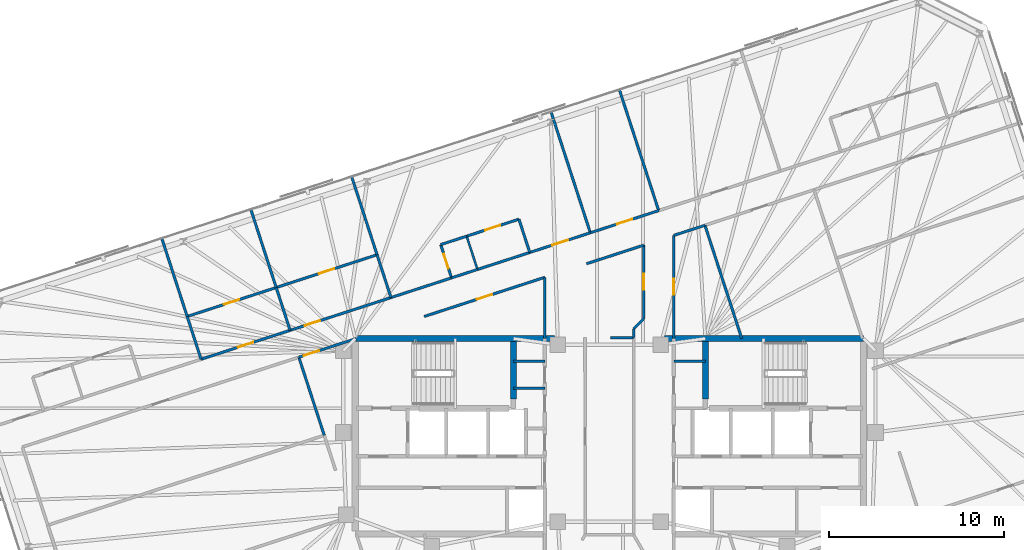
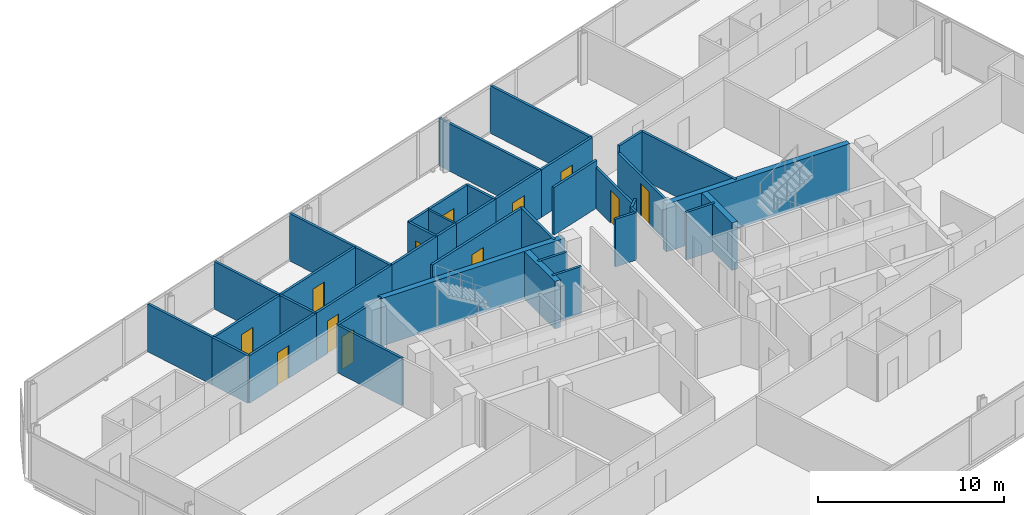
# One storey, part 16 of 19: 41 walls, 12 doors, 12 openings.
"""IFC4 building model written with IfcOpenShell, lengths in metres."""

from ifc_helpers import new_model, si_unit, direction, frame, frame_2d, origin, place, context, subcontext, project, spatial, rectangle, extrude, material, layer, layer_set, type_object, element, fill, save


model = new_model("IFC4")

# Units and contexts
model_context = context("Model", 3, precision=1e-05, world=origin(), true_north=direction((0.0, 1.0)))
body_context = subcontext(model_context, "Body", "Model", "MODEL_VIEW")
ifc_project = project(units=[si_unit("LENGTHUNIT", "METRE"), si_unit("AREAUNIT", "SQUARE_METRE"), si_unit("VOLUMEUNIT", "CUBIC_METRE"), si_unit("PLANEANGLEUNIT", "RADIAN"), si_unit("MASSUNIT", "GRAM", prefix="KILO")], contexts=[model_context])

# Site, building, storey
site_placement = place(None, origin())
site = spatial("IfcSite", under=ifc_project, at=site_placement, CompositionType="ELEMENT")
building_placement = place(site_placement, origin())
building = spatial("IfcBuilding", under=site, at=building_placement, Name="Menara Jurai Vektor", CompositionType="ELEMENT")
storey_placement = place(building_placement, frame((0.0, 0.0, 210.89990234375)))
storey = spatial("IfcBuildingStorey", under=building, at=storey_placement, Name="L55", CompositionType="ELEMENT", Elevation=210.89990234375)

# Walls
ifc_material_1 = material(Name="Gypsum Fireboard Partition", Category="gypsum")
ifc_layer_1 = layer(ifc_material_1, 0.14990234375)
ifc_layer_set_1 = layer_set([ifc_layer_1], Name="Gypsum Fireboard Partition")
wall_type_1 = type_object("IfcWallType", Name="INT-WALL-CORR-150", PredefinedType="PARTITIONING", material=ifc_layer_set_1)
for number, where, z_axis, x_axis, name in (
    (1, (-5.5, 4.300048828125, 0.0), (0.0, 0.0, 1.0), (1.0, 0.0, 0.0), "Interior Wall IW-150 L55"),
    (2, (-5.5, 2.75, 0.0), (0.0, 0.0, 1.0), (1.0, 0.0, 0.0), "Interior Wall IW-150 L55"),
    (3, (3.699951171875, 4.300048828125, 0.0), (0.0, 0.0, 1.0), (1.0, 0.0, 0.0), "Interior Wall IW-150 L55"),
):
    element("IfcWall", number, at=place(storey_placement, frame(where, z_axis=z_axis, x_axis=x_axis)), inside=storey, type_object=wall_type_1, Name=name, PredefinedType="PARTITIONING", context=body_context, shape_type="SweptSolid", body=[
        extrude(rectangle(XDim=1.800048828125, YDim=0.14990234375, at=frame_2d((0.89990234375, 0.0))), origin(), (0.0, 0.0, 1.0), 3.125),
    ])
wall_1_placement = place(storey_placement, frame((-12.513427734375, 7.94921875, 0.0), z_axis=(0.0, 0.0, 1.0), x_axis=(0.951050780541, 0.309034646652, 0.0)))
element("IfcWall", 4, at=wall_1_placement, inside=storey, type_object=wall_type_1, Name="Interior Wall IW-150 L55", PredefinedType="PARTITIONING", context=body_context, shape_type="SweptSolid", body=[
    extrude(rectangle(XDim=3.64990234375, YDim=0.14990234375, at=frame_2d((1.824951171875, 0.0))), origin(), (0.0, 0.0, 1.0), 3.125),
])

# Wall, opening, door
wall_2_placement = place(storey_placement, frame((-4.560791015625, 10.533203125, 0.0), z_axis=(0.0, 0.0, 1.0), x_axis=(0.951057168147, 0.309014988174, 0.0)))
wall_2 = element("IfcWall", 5, at=wall_2_placement, inside=storey, type_object=wall_type_1, Name="Interior Wall IW-150 L55", PredefinedType="PARTITIONING", context=body_context, shape_type="SweptSolid", body=[
    extrude(rectangle(XDim=3.650146484375, YDim=0.14990234375, at=frame_2d((1.8251953125, 0.0))), origin(), (0.0, 0.0, 1.0), 3.125),
])
opening_1_placement = place(wall_2_placement, frame((1.35009765625, 0.0, 0.0)))
opening_1 = element("IfcOpeningElement", 6, at=opening_1_placement, cuts=wall_2, Name="Opening D55-13", PredefinedType="OPENING", context=body_context, shape_type="SweptSolid", body=[
    extrude(rectangle(XDim=0.949951171875, YDim=2.14990234375, at=frame_2d((0.47509765625, 1.074951171875))), frame((0.0, 0.0849609375, 0.0), z_axis=(0.0, -1.0, 0.0), x_axis=(1.0, 0.0, 0.0)), (0.0, 0.0, 1.0), 0.169921875),
])
ifc_material_2 = material(Name="Solid Core Timber Fire Door", Category="wood")
door_type_1 = type_object("IfcDoorType", Name="DR-ENTRY-950", OperationType="NOTDEFINED", PredefinedType="DOOR", material=ifc_material_2)
door_1_placement = place(opening_1_placement, origin())
door_1 = element("IfcDoor", 7, at=door_1_placement, inside=storey, type_object=door_type_1, Name="Interior Door D55-13", OperationType="SINGLE_SWING_LEFT", OverallHeight=2.14990234375, OverallWidth=0.949951171875, PredefinedType="DOOR", context=body_context, shape_type="SweptSolid", body=[
    extrude(rectangle(XDim=0.949951171875, YDim=2.14990234375, at=frame_2d((0.47509765625, 1.074951171875))), frame((0.0, 0.02490234375, 0.0), z_axis=(0.0, -1.0, 0.0), x_axis=(1.0, 0.0, 0.0)), (0.0, 0.0, 1.0), 0.050048828125),
])
fill(opening_1, door_1)

# Walls
wall_3_placement = place(storey_placement, frame((-9.042236328125, 9.0771484375, 0.0), z_axis=(0.0, 0.0, 1.0), x_axis=(0.951062779317, 0.308997718112, 0.0)))
element("IfcWall", 8, at=wall_3_placement, inside=storey, type_object=wall_type_1, Name="Interior Wall IW-150 L55", PredefinedType="PARTITIONING", context=body_context, shape_type="SweptSolid", body=[
    extrude(rectangle(XDim=1.56201171875, YDim=0.14990234375, at=frame_2d((0.781005859375, 0.0))), origin(), (0.0, 0.0, 1.0), 3.125),
])
wall_4_placement = place(storey_placement, frame((-7.556640625, 9.559814453125, 0.0), z_axis=(0.0, 0.0, 1.0), x_axis=(0.951058557014, 0.309010713619, 0.0)))
element("IfcWall", 9, at=wall_4_placement, inside=storey, type_object=wall_type_1, Name="Interior Wall IW-150 L55", PredefinedType="PARTITIONING", context=body_context, shape_type="SweptSolid", body=[
    extrude(rectangle(XDim=3.14990234375, YDim=0.14990234375, at=frame_2d((1.574951171875, 0.0))), origin(), (0.0, 0.0, 1.0), 3.125),
])

# Wall, opening, door
wall_5_placement = place(storey_placement, frame((-23.3935546875, 4.4140625, 0.0), z_axis=(0.0, 0.0, 1.0), x_axis=(0.951050121956, 0.309036673434, 0.0)))
wall_5 = element("IfcWall", 10, at=wall_5_placement, inside=storey, type_object=wall_type_1, Name="Interior Wall IW-150 L55", PredefinedType="PARTITIONING", context=body_context, shape_type="SweptSolid", body=[
    extrude(rectangle(XDim=5.3642578125, YDim=0.14990234375, at=frame_2d((2.68212890625, 0.0))), origin(), (0.0, 0.0, 1.0), 3.125),
])
opening_2_placement = place(wall_5_placement, frame((2.221923828125, 0.0, 0.0)))
opening_2 = element("IfcOpeningElement", 11, at=opening_2_placement, cuts=wall_5, Name="Opening D55-30", PredefinedType="OPENING", context=body_context, shape_type="SweptSolid", body=[
    extrude(rectangle(XDim=0.919921875, YDim=2.14990234375, at=frame_2d((0.4599609375, 1.074951171875))), frame((0.0, 0.0849609375, 0.0), z_axis=(0.0, -1.0, 0.0), x_axis=(1.0, 0.0, 0.0)), (0.0, 0.0, 1.0), 0.169921875),
])
door_2_placement = place(opening_2_placement, origin())
door_2 = element("IfcDoor", 12, at=door_2_placement, inside=storey, type_object=door_type_1, Name="Interior Door D55-30", OperationType="SINGLE_SWING_RIGHT", OverallHeight=2.14990234375, OverallWidth=0.919921875, PredefinedType="DOOR", context=body_context, shape_type="SweptSolid", body=[
    extrude(rectangle(XDim=0.919921875, YDim=2.14990234375, at=frame_2d((0.4599609375, 1.074951171875))), frame((0.0, 0.02490234375, 0.0), z_axis=(0.0, -1.0, 0.0), x_axis=(1.0, 0.0, 0.0)), (0.0, 0.0, 1.0), 0.050048828125),
])
fill(opening_2, door_2)

# Wall
wall_6_placement = place(storey_placement, frame((3.699462890625, 11.513916015625, 0.0), z_axis=(0.0, 0.0, 1.0), x_axis=(0.951069540665, 0.308976906612, 0.0)))
element("IfcWall", 13, at=wall_6_placement, inside=storey, type_object=wall_type_1, Name="Interior Wall IW-150 L55", PredefinedType="PARTITIONING", context=body_context, shape_type="SweptSolid", body=[
    extrude(rectangle(XDim=1.87109375, YDim=0.14990234375, at=frame_2d((0.935546875, 0.0))), origin(), (0.0, 0.0, 1.0), 3.125),
])

# Wall, opening, door
wall_7_placement = place(storey_placement, frame((-17.79150390625, 4.531005859375, 0.0), z_axis=(0.0, 0.0, 1.0), x_axis=(0.951047546178, 0.309044600193, 0.0)))
wall_7 = element("IfcWall", 14, at=wall_7_placement, inside=storey, type_object=wall_type_1, Name="Interior Wall IW-150 L55", PredefinedType="PARTITIONING", context=body_context, shape_type="SweptSolid", body=[
    extrude(rectangle(XDim=3.4609375, YDim=0.14990234375, at=frame_2d((1.73046875, 0.0))), origin(), (0.0, 0.0, 1.0), 3.125),
])
opening_3_placement = place(wall_7_placement, frame((0.301513671875, 0.0, 0.0)))
opening_3 = element("IfcOpeningElement", 15, at=opening_3_placement, cuts=wall_7, Name="Opening D55-40", PredefinedType="OPENING", context=body_context, shape_type="SweptSolid", body=[
    extrude(rectangle(XDim=0.919921875, YDim=2.14990234375, at=frame_2d((0.4599609375, 1.074951171875))), frame((0.0, 0.0849609375, 0.0), z_axis=(0.0, -1.0, 0.0), x_axis=(1.0, 0.0, 0.0)), (0.0, 0.0, 1.0), 0.169921875),
])
door_3_placement = place(opening_3_placement, origin())
door_3 = element("IfcDoor", 16, at=door_3_placement, inside=storey, type_object=door_type_1, Name="Interior Door D55-40", OperationType="SINGLE_SWING_RIGHT", OverallHeight=2.14990234375, OverallWidth=0.919921875, PredefinedType="DOOR", context=body_context, shape_type="SweptSolid", body=[
    extrude(rectangle(XDim=0.919921875, YDim=2.14990234375, at=frame_2d((0.4599609375, 1.074951171875))), frame((0.0, 0.02490234375, 0.0), z_axis=(0.0, -1.0, 0.0), x_axis=(1.0, 0.0, 0.0)), (0.0, 0.0, 1.0), 0.050048828125),
])
fill(opening_3, door_3)

# Walls
wall_8_placement = place(storey_placement, frame((-1.310791015625, 9.885986328125, 0.0), z_axis=(0.0, 0.0, 1.0), x_axis=(0.951068803905, 0.308979174442, 0.0)))
element("IfcWall", 17, at=wall_8_placement, inside=storey, type_object=wall_type_1, Name="Interior Wall IW-150 L55", PredefinedType="PARTITIONING", context=body_context, shape_type="SweptSolid", body=[
    extrude(rectangle(XDim=3.4599609375, YDim=0.14990234375, at=frame_2d((1.72998046875, 0.0))), origin(), (0.0, 0.0, 1.0), 3.125),
])
wall_9_placement = place(storey_placement, frame((1.390625, 5.6494140625, 0.0), z_axis=(0.0, 0.0, 1.0), x_axis=(0.000957395444, 0.999999541697, 0.0)))
element("IfcWall", 18, at=wall_9_placement, inside=storey, type_object=wall_type_1, Name="Interior Wall IW-150 L55", PredefinedType="PARTITIONING", context=body_context, shape_type="SweptSolid", body=[
    extrude(rectangle(XDim=0.510009765625, YDim=0.14990234375, at=frame_2d((0.2548828125, 0.0))), origin(), (0.0, 0.0, 1.0), 3.125),
])
wall_10_placement = place(storey_placement, frame((1.39111328125, 6.159423828125, 0.0), z_axis=(0.0, 0.0, 1.0), x_axis=(0.707106781187, 0.707106781187, 0.0)))
element("IfcWall", 19, at=wall_10_placement, inside=storey, type_object=wall_type_1, Name="Interior Wall IW-150 L55", PredefinedType="PARTITIONING", context=body_context, shape_type="SweptSolid", body=[
    extrude(rectangle(XDim=0.832763671875, YDim=0.14990234375, at=frame_2d((0.41650390625, 0.0))), origin(), (0.0, 0.0, 1.0), 3.125),
])

# Wall, opening, door
wall_11_placement = place(storey_placement, frame((-10.612060546875, 6.86376953125, 0.0), z_axis=(0.0, 0.0, 1.0), x_axis=(0.951060972078, 0.309003280548, 0.0)))
wall_11 = element("IfcWall", 20, at=wall_11_placement, inside=storey, type_object=wall_type_1, Name="Interior Wall IW-150 L55", PredefinedType="PARTITIONING", context=body_context, shape_type="SweptSolid", body=[
    extrude(rectangle(XDim=7.26806640625, YDim=0.14990234375, at=frame_2d((3.634033203125, 0.0))), origin(), (0.0, 0.0, 1.0), 3.125),
])
opening_4_placement = place(wall_11_placement, frame((3.174072265625, 0.0, 0.0)))
opening_4 = element("IfcOpeningElement", 21, at=opening_4_placement, cuts=wall_11, Name="Opening D55-42", PredefinedType="OPENING", context=body_context, shape_type="SweptSolid", body=[
    extrude(rectangle(XDim=0.919921875, YDim=2.14990234375, at=frame_2d((0.4599609375, 1.074951171875))), frame((0.0, 0.0849609375, 0.0), z_axis=(0.0, -1.0, 0.0), x_axis=(1.0, 0.0, 0.0)), (0.0, 0.0, 1.0), 0.169921875),
])
door_4_placement = place(opening_4_placement, origin())
door_4 = element("IfcDoor", 22, at=door_4_placement, inside=storey, type_object=door_type_1, Name="Interior Door D55-42", OperationType="SINGLE_SWING_RIGHT", OverallHeight=2.14990234375, OverallWidth=0.919921875, PredefinedType="DOOR", context=body_context, shape_type="SweptSolid", body=[
    extrude(rectangle(XDim=0.919921875, YDim=2.14990234375, at=frame_2d((0.4599609375, 1.074951171875))), frame((0.0, 0.02490234375, 0.0), z_axis=(0.0, -1.0, 0.0), x_axis=(1.0, 0.0, 0.0)), (0.0, 0.0, 1.0), 0.050048828125),
])
fill(opening_4, door_4)

# Wall
wall_12_placement = place(storey_placement, frame((-3.7001953125, 5.599853515625, 0.0), z_axis=(0.0, 0.0, 1.0), x_axis=(0.000139120755, 0.999999990323, 0.0)))
element("IfcWall", 23, at=wall_12_placement, inside=storey, type_object=wall_type_1, Name="Interior Wall IW-150 L55", PredefinedType="PARTITIONING", context=body_context, shape_type="SweptSolid", body=[
    extrude(rectangle(XDim=3.509765625, YDim=0.14990234375, at=frame_2d((1.7548828125, 0.0))), origin(), (0.0, 0.0, 1.0), 3.125),
])

# Wall, opening, door
wall_13_placement = place(storey_placement, frame((-18.2919921875, 6.07177734375, 0.0), z_axis=(0.0, 0.0, 1.0), x_axis=(0.951062707515, 0.30899793911, 0.0)))
wall_13 = element("IfcWall", 24, at=wall_13_placement, inside=storey, type_object=wall_type_1, Name="Interior Wall IW-150 L55", PredefinedType="PARTITIONING", context=body_context, shape_type="SweptSolid", body=[
    extrude(rectangle(XDim=6.075927734375, YDim=0.14990234375, at=frame_2d((3.0380859375, 0.0))), origin(), (0.0, 0.0, 1.0), 3.125),
])
opening_5_placement = place(wall_13_placement, frame((0.876708984375, 0.0, 0.0)))
opening_5 = element("IfcOpeningElement", 25, at=opening_5_placement, cuts=wall_13, Name="Opening D55-43", PredefinedType="OPENING", context=body_context, shape_type="SweptSolid", body=[
    extrude(rectangle(XDim=0.919921875, YDim=2.14990234375, at=frame_2d((0.4599609375, 1.074951171875))), frame((0.0, 0.0849609375, 0.0), z_axis=(0.0, -1.0, 0.0), x_axis=(1.0, 0.0, 0.0)), (0.0, 0.0, 1.0), 0.169921875),
])
door_5_placement = place(opening_5_placement, origin())
door_5 = element("IfcDoor", 26, at=door_5_placement, inside=storey, type_object=door_type_1, Name="Interior Door D55-43", OperationType="SINGLE_SWING_LEFT", OverallHeight=2.14990234375, OverallWidth=0.919921875, PredefinedType="DOOR", context=body_context, shape_type="SweptSolid", body=[
    extrude(rectangle(XDim=0.919921875, YDim=2.14990234375, at=frame_2d((0.4599609375, 1.074951171875))), frame((0.0, 0.02490234375, 0.0), z_axis=(0.0, -1.0, 0.0), x_axis=(1.0, 0.0, 0.0)), (0.0, 0.0, 1.0), 0.050048828125),
])
fill(opening_5, door_5)

wall_14_placement = place(storey_placement, frame((-1.08935546875, 11.6611328125, 0.0), z_axis=(0.0, 0.0, 1.0), x_axis=(0.951057158344, 0.309015018346, 0.0)))
wall_14 = element("IfcWall", 27, at=wall_14_placement, inside=storey, type_object=wall_type_1, Name="Interior Wall IW-150 L55", PredefinedType="PARTITIONING", context=body_context, shape_type="SweptSolid", body=[
    extrude(rectangle(XDim=4.11767578125, YDim=0.14990234375, at=frame_2d((2.058837890625, 0.0))), origin(), (0.0, 0.0, 1.0), 3.125),
])
opening_6_placement = place(wall_14_placement, frame((1.59912109375, 0.0, 0.0)))
opening_6 = element("IfcOpeningElement", 28, at=opening_6_placement, cuts=wall_14, Name="Opening D55-45", PredefinedType="OPENING", context=body_context, shape_type="SweptSolid", body=[
    extrude(rectangle(XDim=0.919921875, YDim=2.14990234375, at=frame_2d((0.4599609375, 1.074951171875))), frame((0.0, 0.0849609375, 0.0), z_axis=(0.0, -1.0, 0.0), x_axis=(1.0, 0.0, 0.0)), (0.0, 0.0, 1.0), 0.169921875),
])
door_6_placement = place(opening_6_placement, origin())
door_6 = element("IfcDoor", 29, at=door_6_placement, inside=storey, type_object=door_type_1, Name="Interior Door D55-45", OperationType="SINGLE_SWING_LEFT", OverallHeight=2.14990234375, OverallWidth=0.919921875, PredefinedType="DOOR", context=body_context, shape_type="SweptSolid", body=[
    extrude(rectangle(XDim=0.919921875, YDim=2.14990234375, at=frame_2d((0.4599609375, 1.074951171875))), frame((0.0, 0.02490234375, 0.0), z_axis=(0.0, -1.0, 0.0), x_axis=(1.0, 0.0, 0.0)), (0.0, 0.0, 1.0), 0.050048828125),
])
fill(opening_6, door_6)

# Walls
wall_15_placement = place(storey_placement, frame((0.065673828125, 5.64990234375, 0.0), z_axis=(0.0, 0.0, 1.0), x_axis=(0.999999932094, -0.000368527707, 0.0)))
element("IfcWall", 30, at=wall_15_placement, inside=storey, type_object=wall_type_1, Name="Interior Wall IW-150 L55", PredefinedType="PARTITIONING", context=body_context, shape_type="SweptSolid", body=[
    extrude(rectangle(XDim=1.324951171875, YDim=0.14990234375, at=frame_2d((0.66259765625, 0.0))), origin(), (0.0, 0.0, 1.0), 3.125),
])
wall_16_placement = place(storey_placement, frame((-23.3935546875, 4.4140625, 0.0), z_axis=(0.0, 0.0, 1.0), x_axis=(-0.308976906612, 0.951069540665, 0.0)))
element("IfcWall", 31, at=wall_16_placement, inside=storey, type_object=wall_type_1, Name="Interior Wall IW-150 L55", PredefinedType="PARTITIONING", context=body_context, shape_type="SweptSolid", body=[
    extrude(rectangle(XDim=2.5791015625, YDim=0.14990234375, at=frame_2d((1.28955078125, 0.0))), origin(), (0.0, 0.0, 1.0), 3.125),
])
wall_17_placement = place(storey_placement, frame((-24.1904296875, 6.866943359375, 0.0), z_axis=(0.0, 0.0, 1.0), x_axis=(-0.309057912466, 0.951043220228, 0.0)))
element("IfcWall", 32, at=wall_17_placement, inside=storey, type_object=wall_type_1, Name="Interior Wall IW-150 L55", PredefinedType="PARTITIONING", context=body_context, shape_type="SweptSolid", body=[
    extrude(rectangle(XDim=4.704833984375, YDim=0.14990234375, at=frame_2d((2.3525390625, 0.0))), origin(), (0.0, 0.0, 1.0), 3.125),
])

# Wall, opening, door
wall_18_placement = place(storey_placement, frame((-9.042236328125, 9.0771484375, 0.0), z_axis=(0.0, 0.0, 1.0), x_axis=(-0.308912611775, 0.951090425925, 0.0)))
wall_18 = element("IfcWall", 33, at=wall_18_placement, inside=storey, type_object=wall_type_1, Name="Interior Wall IW-150 L55", PredefinedType="PARTITIONING", context=body_context, shape_type="SweptSolid", body=[
    extrude(rectangle(XDim=2.005126953125, YDim=0.14990234375, at=frame_2d((1.00244140625, 0.0))), origin(), (0.0, 0.0, 1.0), 3.125),
])
opening_7_placement = place(wall_18_placement, frame((0.5625, 0.0, 0.0)))
opening_7 = element("IfcOpeningElement", 34, at=opening_7_placement, cuts=wall_18, Name="Opening D55-14", PredefinedType="OPENING", context=body_context, shape_type="SweptSolid", body=[
    extrude(rectangle(XDim=0.8798828125, YDim=2.14990234375, at=frame_2d((0.43994140625, 1.074951171875))), frame((0.0, 0.0849609375, 0.0), z_axis=(0.0, -1.0, 0.0), x_axis=(1.0, 0.0, 0.0)), (0.0, 0.0, 1.0), 0.169921875),
])
ifc_material_3 = material(Name="Moisture-Resistant Timber Door", Category="wood")
door_type_2 = type_object("IfcDoorType", Name="DR-BATH-880", OperationType="NOTDEFINED", PredefinedType="DOOR", material=ifc_material_3)
door_7_placement = place(opening_7_placement, origin())
door_7 = element("IfcDoor", 35, at=door_7_placement, inside=storey, type_object=door_type_2, Name="Interior Door D55-14", OperationType="SINGLE_SWING_RIGHT", OverallHeight=2.14990234375, OverallWidth=0.8798828125, PredefinedType="DOOR", context=body_context, shape_type="SweptSolid", body=[
    extrude(rectangle(XDim=0.8798828125, YDim=2.14990234375, at=frame_2d((0.43994140625, 1.074951171875))), frame((0.0, 0.02490234375, 0.0), z_axis=(0.0, -1.0, 0.0), x_axis=(1.0, 0.0, 0.0)), (0.0, 0.0, 1.0), 0.050048828125),
])
fill(opening_7, door_7)

# Wall
wall_19_placement = place(storey_placement, frame((-9.66162109375, 10.984130859375, 0.0), z_axis=(0.0, 0.0, 1.0), x_axis=(0.951047852885, 0.309043656337, 0.0)))
element("IfcWall", 36, at=wall_19_placement, inside=storey, type_object=wall_type_1, Name="Interior Wall IW-150 L55", PredefinedType="PARTITIONING", context=body_context, shape_type="SweptSolid", body=[
    extrude(rectangle(XDim=1.561767578125, YDim=0.14990234375, at=frame_2d((0.78076171875, 0.0))), origin(), (0.0, 0.0, 1.0), 3.125),
])

# Wall, opening, door
wall_20_placement = place(storey_placement, frame((-8.17626953125, 11.466796875, 0.0), z_axis=(0.0, 0.0, 1.0), x_axis=(0.951058557014, 0.309010713619, 0.0)))
wall_20 = element("IfcWall", 37, at=wall_20_placement, inside=storey, type_object=wall_type_1, Name="Interior Wall IW-150 L55", PredefinedType="PARTITIONING", context=body_context, shape_type="SweptSolid", body=[
    extrude(rectangle(XDim=3.14990234375, YDim=0.14990234375, at=frame_2d((1.574951171875, 0.0))), origin(), (0.0, 0.0, 1.0), 3.125),
])
opening_8_placement = place(wall_20_placement, frame((1.125, 0.0, 0.0)))
opening_8 = element("IfcOpeningElement", 38, at=opening_8_placement, cuts=wall_20, Name="Opening D55-15", PredefinedType="OPENING", context=body_context, shape_type="SweptSolid", body=[
    extrude(rectangle(XDim=0.89990234375, YDim=2.14990234375, at=frame_2d((0.449951171875, 1.074951171875))), frame((0.0, 0.0849609375, 0.0), z_axis=(0.0, -1.0, 0.0), x_axis=(1.0, 0.0, 0.0)), (0.0, 0.0, 1.0), 0.169921875),
])
ifc_material_4 = material(Name="Acoustic Timber Interior Door", Category="wood")
door_type_3 = type_object("IfcDoorType", Name="DR-ROOM-900", OperationType="NOTDEFINED", PredefinedType="DOOR", material=ifc_material_4)
door_8_placement = place(opening_8_placement, origin())
door_8 = element("IfcDoor", 39, at=door_8_placement, inside=storey, type_object=door_type_3, Name="Interior Door D55-15", OperationType="SINGLE_SWING_LEFT", OverallHeight=2.14990234375, OverallWidth=0.89990234375, PredefinedType="DOOR", context=body_context, shape_type="SweptSolid", body=[
    extrude(rectangle(XDim=0.89990234375, YDim=2.14990234375, at=frame_2d((0.449951171875, 1.074951171875))), frame((0.0, 0.02490234375, 0.0), z_axis=(0.0, -1.0, 0.0), x_axis=(1.0, 0.0, 0.0)), (0.0, 0.0, 1.0), 0.050048828125),
])
fill(opening_8, door_8)

# Walls
wall_21_placement = place(storey_placement, frame((-4.560791015625, 10.533203125, 0.0), z_axis=(0.0, 0.0, 1.0), x_axis=(-0.309022749039, 0.951054646472, 0.0)))
element("IfcWall", 40, at=wall_21_placement, inside=storey, type_object=wall_type_1, Name="Interior Wall IW-150 L55", PredefinedType="PARTITIONING", context=body_context, shape_type="SweptSolid", body=[
    extrude(rectangle(XDim=2.005126953125, YDim=0.14990234375, at=frame_2d((1.00244140625, 0.0))), origin(), (0.0, 0.0, 1.0), 3.125),
])
wall_22_placement = place(storey_placement, frame((-12.513427734375, 7.94921875, 0.0), z_axis=(0.0, 0.0, 1.0), x_axis=(-0.309062527822, 0.951041720376, 0.0)))
element("IfcWall", 41, at=wall_22_placement, inside=storey, type_object=wall_type_1, Name="Interior Wall IW-150 L55", PredefinedType="PARTITIONING", context=body_context, shape_type="SweptSolid", body=[
    extrude(rectangle(XDim=2.5791015625, YDim=0.14990234375, at=frame_2d((1.28955078125, 0.0))), origin(), (0.0, 0.0, 1.0), 3.125),
])
wall_23_placement = place(storey_placement, frame((-13.310546875, 10.402099609375, 0.0), z_axis=(0.0, 0.0, 1.0), x_axis=(-0.309010977541, 0.951058471262, 0.0)))
element("IfcWall", 42, at=wall_23_placement, inside=storey, type_object=wall_type_1, Name="Interior Wall IW-150 L55", PredefinedType="PARTITIONING", context=body_context, shape_type="SweptSolid", body=[
    extrude(rectangle(XDim=4.704833984375, YDim=0.14990234375, at=frame_2d((2.3525390625, 0.0))), origin(), (0.0, 0.0, 1.0), 3.125),
])
wall_24_placement = place(storey_placement, frame((-1.08935546875, 11.6611328125, 0.0), z_axis=(0.0, 0.0, 1.0), x_axis=(-0.309029230739, 0.951052540372, 0.0)))
element("IfcWall", 43, at=wall_24_placement, inside=storey, type_object=wall_type_1, Name="Interior Wall IW-150 L55", PredefinedType="PARTITIONING", context=body_context, shape_type="SweptSolid", body=[
    extrude(rectangle(XDim=7.283935546875, YDim=0.14990234375, at=frame_2d((3.64208984375, 0.0))), origin(), (0.0, 0.0, 1.0), 3.125),
])
wall_25_placement = place(storey_placement, frame((-16.3369140625, 0.054443359375, 0.0), z_axis=(0.0, 0.0, 1.0), x_axis=(-0.309029776355, 0.951052363083, 0.0)))
element("IfcWall", 44, at=wall_25_placement, inside=storey, type_object=wall_type_1, Name="Interior Wall IW-150 L55", PredefinedType="PARTITIONING", context=body_context, shape_type="SweptSolid", body=[
    extrude(rectangle(XDim=4.70703125, YDim=0.14990234375, at=frame_2d((2.353515625, 0.0))), origin(), (0.0, 0.0, 1.0), 3.125),
])

# Wall, opening, door
wall_26_placement = place(storey_placement, frame((-24.1904296875, 6.866943359375, 0.0), z_axis=(0.0, 0.0, 1.0), x_axis=(0.951059152206, 0.309008881758, 0.0)))
wall_26 = element("IfcWall", 45, at=wall_26_placement, inside=storey, type_object=wall_type_1, Name="Interior Wall IW-150 L55", PredefinedType="PARTITIONING", context=body_context, shape_type="SweptSolid", body=[
    extrude(rectangle(XDim=5.36376953125, YDim=0.14990234375, at=frame_2d((2.681884765625, 0.0))), origin(), (0.0, 0.0, 1.0), 3.125),
])
opening_9_placement = place(wall_26_placement, frame((2.221923828125, 0.0, 0.0)))
opening_9 = element("IfcOpeningElement", 46, at=opening_9_placement, cuts=wall_26, Name="Opening D55-31", PredefinedType="OPENING", context=body_context, shape_type="SweptSolid", body=[
    extrude(rectangle(XDim=0.919921875, YDim=2.14990234375, at=frame_2d((0.4599609375, 1.074951171875))), frame((0.0, 0.0849609375, 0.0), z_axis=(0.0, -1.0, 0.0), x_axis=(1.0, 0.0, 0.0)), (0.0, 0.0, 1.0), 0.169921875),
])
door_9_placement = place(opening_9_placement, origin())
door_9 = element("IfcDoor", 47, at=door_9_placement, inside=storey, type_object=door_type_1, Name="Interior Door D55-31", OperationType="SINGLE_SWING_LEFT", OverallHeight=2.14990234375, OverallWidth=0.919921875, PredefinedType="DOOR", context=body_context, shape_type="SweptSolid", body=[
    extrude(rectangle(XDim=0.919921875, YDim=2.14990234375, at=frame_2d((0.4599609375, 1.074951171875))), frame((0.0, 0.02490234375, 0.0), z_axis=(0.0, -1.0, 0.0), x_axis=(1.0, 0.0, 0.0)), (0.0, 0.0, 1.0), 0.050048828125),
])
fill(opening_9, door_9)

# Walls
wall_27_placement = place(storey_placement, frame((-18.2919921875, 6.07177734375, 0.0), z_axis=(0.0, 0.0, 1.0), x_axis=(-0.309090353524, 0.951032677335, 0.0)))
element("IfcWall", 48, at=wall_27_placement, inside=storey, type_object=wall_type_1, Name="Interior Wall IW-150 L55", PredefinedType="PARTITIONING", context=body_context, shape_type="SweptSolid", body=[
    extrude(rectangle(XDim=2.578857421875, YDim=0.14990234375, at=frame_2d((1.28955078125, 0.0))), origin(), (0.0, 0.0, 1.0), 3.125),
])
wall_28_placement = place(storey_placement, frame((-19.089111328125, 8.5244140625, 0.0), z_axis=(0.0, 0.0, 1.0), x_axis=(-0.308995728133, 0.951063425853, 0.0)))
element("IfcWall", 49, at=wall_28_placement, inside=storey, type_object=wall_type_1, Name="Interior Wall IW-150 L55", PredefinedType="PARTITIONING", context=body_context, shape_type="SweptSolid", body=[
    extrude(rectangle(XDim=4.705078125, YDim=0.14990234375, at=frame_2d((2.3525390625, 0.0))), origin(), (0.0, 0.0, 1.0), 3.125),
])
wall_29_placement = place(storey_placement, frame((7.58837890625, 5.60009765625, 0.0), z_axis=(0.0, 0.0, 1.0), x_axis=(-0.309018946982, 0.951055881852, 0.0)))
element("IfcWall", 50, at=wall_29_placement, inside=storey, type_object=wall_type_1, Name="Interior Wall IW-150 L55", PredefinedType="PARTITIONING", context=body_context, shape_type="SweptSolid", body=[
    extrude(rectangle(XDim=6.825927734375, YDim=0.14990234375, at=frame_2d((3.4130859375, 0.0))), origin(), (0.0, 0.0, 1.0), 3.125),
])

# Wall, opening, door
wall_30_placement = place(storey_placement, frame((-19.089111328125, 8.5244140625, 0.0), z_axis=(0.0, 0.0, 1.0), x_axis=(0.951050898488, 0.309034283674, 0.0)))
wall_30 = element("IfcWall", 51, at=wall_30_placement, inside=storey, type_object=wall_type_1, Name="Interior Wall IW-150 L55", PredefinedType="PARTITIONING", context=body_context, shape_type="SweptSolid", body=[
    extrude(rectangle(XDim=6.075927734375, YDim=0.14990234375, at=frame_2d((3.0380859375, 0.0))), origin(), (0.0, 0.0, 1.0), 3.125),
])
opening_10_placement = place(wall_30_placement, frame((2.577880859375, 0.0, 0.0)))
opening_10 = element("IfcOpeningElement", 52, at=opening_10_placement, cuts=wall_30, Name="Opening D55-44", PredefinedType="OPENING", context=body_context, shape_type="SweptSolid", body=[
    extrude(rectangle(XDim=0.919921875, YDim=2.14990234375, at=frame_2d((0.4599609375, 1.074951171875))), frame((0.0, 0.0849609375, 0.0), z_axis=(0.0, -1.0, 0.0), x_axis=(1.0, 0.0, 0.0)), (0.0, 0.0, 1.0), 0.169921875),
])
door_10_placement = place(opening_10_placement, origin())
door_10 = element("IfcDoor", 53, at=door_10_placement, inside=storey, type_object=door_type_1, Name="Interior Door D55-44", OperationType="SINGLE_SWING_RIGHT", OverallHeight=2.14990234375, OverallWidth=0.919921875, PredefinedType="DOOR", context=body_context, shape_type="SweptSolid", body=[
    extrude(rectangle(XDim=0.919921875, YDim=2.14990234375, at=frame_2d((0.4599609375, 1.074951171875))), frame((0.0, 0.02490234375, 0.0), z_axis=(0.0, -1.0, 0.0), x_axis=(1.0, 0.0, 0.0)), (0.0, 0.0, 1.0), 0.050048828125),
])
fill(opening_10, door_10)

# Wall
wall_31_placement = place(storey_placement, frame((2.826904296875, 12.93359375, 0.0), z_axis=(0.0, 0.0, 1.0), x_axis=(-0.308998913866, 0.951062390819, 0.0)))
element("IfcWall", 54, at=wall_31_placement, inside=storey, type_object=wall_type_1, Name="Interior Wall IW-150 L55", PredefinedType="PARTITIONING", context=body_context, shape_type="SweptSolid", body=[
    extrude(rectangle(XDim=7.283935546875, YDim=0.14990234375, at=frame_2d((3.64208984375, 0.0))), origin(), (0.0, 0.0, 1.0), 3.125),
])

# Wall, opening, door
ifc_layer_2 = layer(ifc_material_1, 0.14990234375)
ifc_layer_set_2 = layer_set([ifc_layer_2], Name="Gypsum Fireboard Partition")
wall_type_2 = type_object("IfcWallType", Name="INT-WALL-CORR-150-H1", PredefinedType="PARTITIONING", material=ifc_layer_set_2)
wall_32_placement = place(storey_placement, frame((3.7001953125, 5.599609375, 0.0), z_axis=(0.0, 0.0, 1.0), x_axis=(-0.000123839008, 0.999999992332, 0.0)))
wall_32 = element("IfcWall", 55, at=wall_32_placement, inside=storey, type_object=wall_type_2, Name="Interior Wall IW-150 L55", PredefinedType="PARTITIONING", context=body_context, shape_type="SweptSolid", body=[
    extrude(rectangle(XDim=5.914306640625, YDim=0.14990234375, at=frame_2d((2.95703125, 0.0))), origin(), (0.0, 0.0, 1.0), 2.675048828125),
])
opening_11_placement = place(wall_32_placement, frame((2.497314453125, 0.0, 0.0)))
opening_11 = element("IfcOpeningElement", 56, at=opening_11_placement, cuts=wall_32, Name="Opening D55-38", PredefinedType="OPENING", context=body_context, shape_type="SweptSolid", body=[
    extrude(rectangle(XDim=0.919921875, YDim=2.14990234375, at=frame_2d((0.4599609375, 1.074951171875))), frame((0.0, 0.0849609375, 0.0), z_axis=(0.0, -1.0, 0.0), x_axis=(1.0, 0.0, 0.0)), (0.0, 0.0, 1.0), 0.169921875),
])
door_11_placement = place(opening_11_placement, origin())
door_11 = element("IfcDoor", 57, at=door_11_placement, inside=storey, type_object=door_type_1, Name="Interior Door D55-38", OperationType="SINGLE_SWING_RIGHT", OverallHeight=2.14990234375, OverallWidth=0.919921875, PredefinedType="DOOR", context=body_context, shape_type="SweptSolid", body=[
    extrude(rectangle(XDim=0.919921875, YDim=2.14990234375, at=frame_2d((0.4599609375, 1.074951171875))), frame((0.0, 0.02490234375, 0.0), z_axis=(0.0, -1.0, 0.0), x_axis=(1.0, 0.0, 0.0)), (0.0, 0.0, 1.0), 0.050048828125),
])
fill(opening_11, door_11)

wall_33_placement = place(storey_placement, frame((1.97998046875, 6.748291015625, 0.0), z_axis=(0.0, 0.0, 1.0), x_axis=(0.0, 1.0, 0.0)))
wall_33 = element("IfcWall", 58, at=wall_33_placement, inside=storey, type_object=wall_type_2, Name="Interior Wall IW-150 L55", PredefinedType="PARTITIONING", context=body_context, shape_type="SweptSolid", body=[
    extrude(rectangle(XDim=4.206787109375, YDim=0.14990234375, at=frame_2d((2.103515625, 0.0))), origin(), (0.0, 0.0, 1.0), 2.675048828125),
])
opening_12_placement = place(wall_33_placement, frame((1.643310546875, 0.0, 0.0)))
opening_12 = element("IfcOpeningElement", 59, at=opening_12_placement, cuts=wall_33, Name="Opening D55-41", PredefinedType="OPENING", context=body_context, shape_type="SweptSolid", body=[
    extrude(rectangle(XDim=0.919921875, YDim=2.14990234375, at=frame_2d((0.4599609375, 1.074951171875))), frame((0.0, 0.0849609375, 0.0), z_axis=(0.0, -1.0, 0.0), x_axis=(1.0, 0.0, 0.0)), (0.0, 0.0, 1.0), 0.169921875),
])
door_12_placement = place(opening_12_placement, origin())
door_12 = element("IfcDoor", 60, at=door_12_placement, inside=storey, type_object=door_type_1, Name="Interior Door D55-41", OperationType="SINGLE_SWING_LEFT", OverallHeight=2.14990234375, OverallWidth=0.919921875, PredefinedType="DOOR", context=body_context, shape_type="SweptSolid", body=[
    extrude(rectangle(XDim=0.919921875, YDim=2.14990234375, at=frame_2d((0.4599609375, 1.074951171875))), frame((0.0, 0.02490234375, 0.0), z_axis=(0.0, -1.0, 0.0), x_axis=(1.0, 0.0, 0.0)), (0.0, 0.0, 1.0), 0.050048828125),
])
fill(opening_12, door_12)

# Walls
ifc_material_5 = material(Name="Gypsum Acoustic Stud Partition", Category="gypsum")
ifc_layer_3 = layer(ifc_material_5, 0.1201171875)
ifc_layer_set_3 = layer_set([ifc_layer_3], Name="Gypsum Acoustic Stud Partition")
wall_type_3 = type_object("IfcWallType", Name="INT-WALL-PART-120", PredefinedType="PARTITIONING", material=ifc_layer_set_3)
wall_34_placement = place(storey_placement, frame((-7.556640625, 9.559814453125, 0.0), z_axis=(0.0, 0.0, 1.0), x_axis=(-0.309022749039, 0.951054646472, 0.0)))
element("IfcWall", 61, at=wall_34_placement, inside=storey, type_object=wall_type_3, Name="Interior Wall IW-120 L55", PredefinedType="PARTITIONING", context=body_context, shape_type="SweptSolid", body=[
    extrude(rectangle(XDim=2.005126953125, YDim=0.1201171875, at=frame_2d((1.00244140625, 0.0))), origin(), (0.0, 0.0, 1.0), 3.125),
])
ifc_material_6 = material(Name="Concrete C50/60", Category="concrete")
ifc_layer_4 = layer(ifc_material_6, 0.35009765625)
ifc_layer_set_4 = layer_set([ifc_layer_4], Name="Concrete C50/60")
wall_type_4 = type_object("IfcWallType", Name="STR-WALL-CORE350", PredefinedType="SHEAR", material=ifc_layer_set_4)
wall_35_placement = place(storey_placement, frame((-14.56005859375, 5.60009765625, 0.0), z_axis=(0.0, 0.0, 1.0), x_axis=(1.0, 0.0, 0.0)))
element("IfcWall", 62, at=wall_35_placement, inside=storey, type_object=wall_type_4, Name="Core Shear Wall CW-W-N L55", PredefinedType="SHEAR", context=body_context, shape_type="SweptSolid", body=[
    extrude(rectangle(XDim=11.41015625, YDim=0.35009765625, at=frame_2d((5.705078125, 0.0))), origin(), (0.0, 0.0, 1.0), 3.125),
])
wall_36_placement = place(storey_placement, frame((-5.5, 2.14990234375, 0.0), z_axis=(0.0, 0.0, 1.0), x_axis=(0.0, 1.0, 0.0)))
element("IfcWall", 63, at=wall_36_placement, inside=storey, type_object=wall_type_4, Name="Core Shear Wall CW-W-ST L55", PredefinedType="SHEAR", context=body_context, shape_type="SweptSolid", body=[
    extrude(rectangle(XDim=3.275146484375, YDim=0.35009765625, at=frame_2d((1.6376953125, 0.0))), origin(), (0.0, 0.0, 1.0), 3.125),
])
wall_37_placement = place(storey_placement, frame((3.14990234375, 5.60009765625, 0.0), z_axis=(0.0, 0.0, 1.0), x_axis=(1.0, 0.0, 0.0)))
element("IfcWall", 64, at=wall_37_placement, inside=storey, type_object=wall_type_4, Name="Core Shear Wall CW-E-N L55", PredefinedType="SHEAR", context=body_context, shape_type="SweptSolid", body=[
    extrude(rectangle(XDim=11.41015625, YDim=0.35009765625, at=frame_2d((5.705078125, 0.0))), origin(), (0.0, 0.0, 1.0), 3.125),
])
wall_38_placement = place(storey_placement, frame((5.5, 2.14990234375, 0.0), z_axis=(0.0, 0.0, 1.0), x_axis=(0.0, 1.0, 0.0)))
element("IfcWall", 65, at=wall_38_placement, inside=storey, type_object=wall_type_4, Name="Core Shear Wall CW-E-ST L55", PredefinedType="SHEAR", context=body_context, shape_type="SweptSolid", body=[
    extrude(rectangle(XDim=3.275146484375, YDim=0.35009765625, at=frame_2d((1.6376953125, 0.0))), origin(), (0.0, 0.0, 1.0), 3.125),
])

save(model, "model.ifc")
